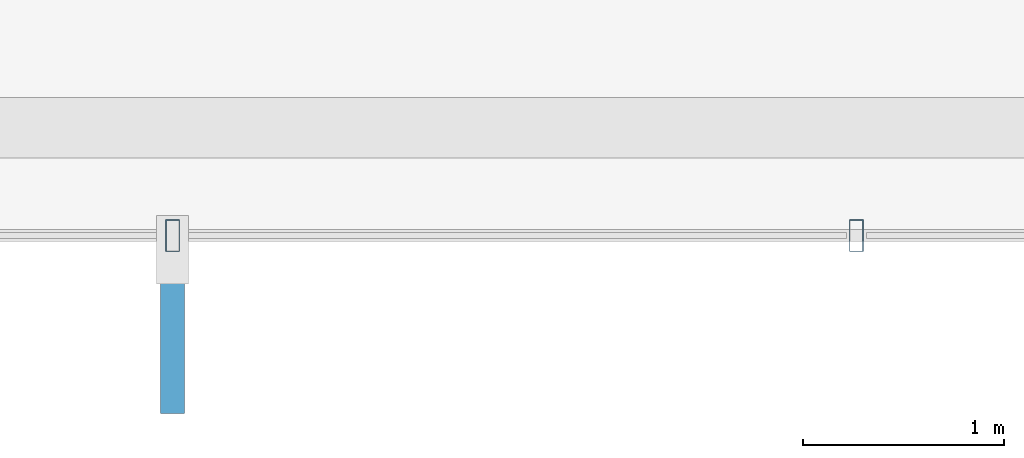
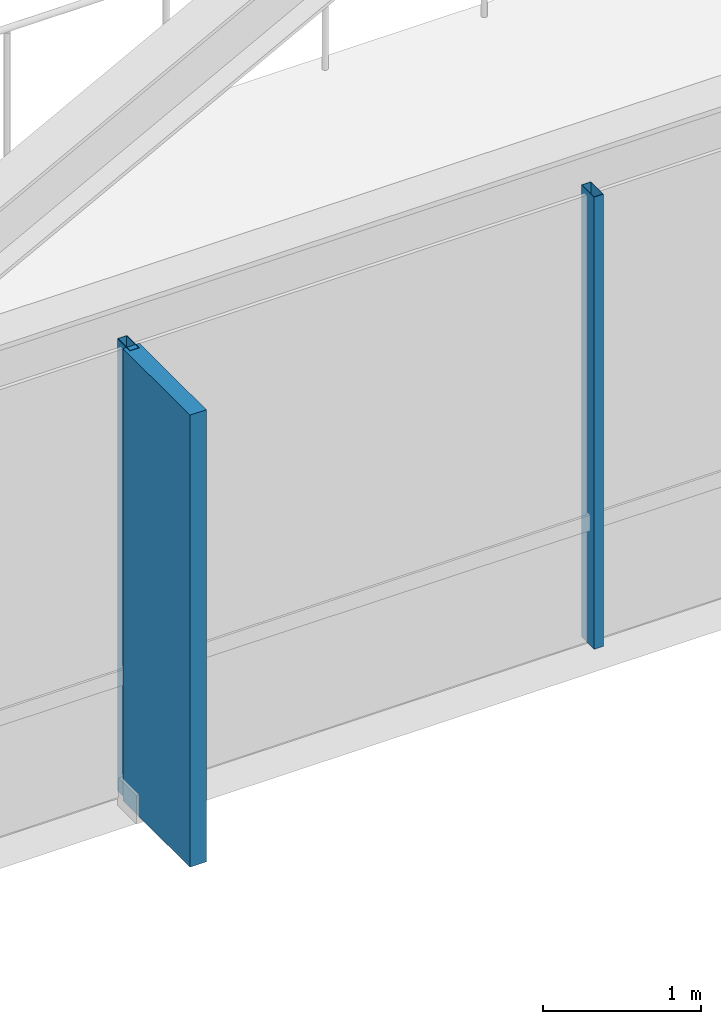
# One storey, part 6 of 29: 3 members, 1 element without a shape of its own.
"""IFC4 building model written with IfcOpenShell, lengths in metres."""

import ifcopenshell
import ifcopenshell.guid

model = None  # the IFC model being written
_history = None  # IfcOwnerHistory: only IFC2X3 demands one
_inside = {}  # id of a spatial element -> (the spatial element, [elements in it])
_under = {}  # id of a project, library or spatial element -> (it, [spatial elements below it])
_declared = {}  # id of a project -> (the project, [libraries it declares])
_typed = {}  # id of a type object -> (the type object, [elements of that type])
_made_of = {}  # id of a material, layer set ... -> (it, [elements and type objects made of it])


def new_model(schema):
    """Start an empty IFC model of exactly this schema.

    Asked for "IFC4X3", IfcOpenShell would pick the latest addendum, in which some entities
    have other attributes; the version numbers below select the first issue.
    IFC2X3 requires an IfcOwnerHistory on every rooted entity: one is made here for all.
    """
    global model, _history
    if schema == "IFC4X3":
        model = ifcopenshell.file(schema_version=(4, 3, 0, 0))
    else:
        model = ifcopenshell.file(schema=schema)
    _inside.clear()
    _under.clear()
    _declared.clear()
    _typed.clear()
    _made_of.clear()
    _history = None
    if model.schema == "IFC2X3":
        org = make("IfcOrganization", Name="unknown")
        user = make(
            "IfcPersonAndOrganization",
            ThePerson=make("IfcPerson", FamilyName="unknown"),
            TheOrganization=org,
        )
        app = make(
            "IfcApplication",
            ApplicationDeveloper=org,
            Version="unknown",
            ApplicationFullName="unknown",
            ApplicationIdentifier="unknown",
        )
        _history = make(
            "IfcOwnerHistory",
            OwningUser=user,
            OwningApplication=app,
            ChangeAction="ADDED",
            CreationDate=0,
        )
    return model


def make(cls, **values):
    """One entity of the class cls with the attributes given. An attribute that is None is left unset."""
    return model.create_entity(
        cls, **{name: value for name, value in values.items() if value is not None}
    )


def rooted(cls, **values):
    """An entity with a GlobalId (a new one), such as an element, a storey or a relation."""
    return make(cls, GlobalId=ifcopenshell.guid.new(), OwnerHistory=_history, **values)


def si_unit(unit_type, name, prefix=None):
    """IfcSIUnit, for example si_unit("LENGTHUNIT", "METRE", prefix="MILLI")."""
    return make("IfcSIUnit", UnitType=unit_type, Prefix=prefix, Name=name)


def assignment(units):
    """IfcUnitAssignment: the units of a project."""
    return None if units is None else make("IfcUnitAssignment", Units=units)


def point(xyz):
    """IfcCartesianPoint."""
    return None if xyz is None else make("IfcCartesianPoint", Coordinates=xyz)


def direction(xyz):
    """IfcDirection."""
    return None if xyz is None else make("IfcDirection", DirectionRatios=xyz)


def frame(location, z_axis=None, x_axis=None):
    """IfcAxis2Placement3D, a coordinate frame: its origin and axes. An axis left out is left unset."""
    return make(
        "IfcAxis2Placement3D",
        Location=point(location),
        Axis=direction(z_axis),
        RefDirection=direction(x_axis),
    )


def frame_2d(location, x_axis=None):
    """IfcAxis2Placement2D, a coordinate frame in the plane: its origin and x axis."""
    return make(
        "IfcAxis2Placement2D", Location=point(location), RefDirection=direction(x_axis)
    )


def origin():
    """The frame at (0, 0, 0) with its axes left unset."""
    return frame((0.0, 0.0, 0.0))


def origin_2d():
    """The frame at (0, 0) in the plane with its x axis left unset."""
    return frame_2d((0.0, 0.0))


def place(relative_to, where):
    """IfcLocalPlacement: puts the frame where relative to a parent placement (None: the world)."""
    return make(
        "IfcLocalPlacement", PlacementRelTo=relative_to, RelativePlacement=where
    )


def context(
    kind, dimensions, precision=None, world=None, true_north=None, identifier=None
):
    """IfcGeometricRepresentationContext, for example the 3D "Model" context."""
    return make(
        "IfcGeometricRepresentationContext",
        ContextIdentifier=identifier,
        ContextType=kind,
        CoordinateSpaceDimension=dimensions,
        Precision=precision,
        WorldCoordinateSystem=world,
        TrueNorth=true_north,
    )


def subcontext(parent, identifier, kind, view, scale=None):
    """IfcGeometricRepresentationSubContext, for example "Body" below "Model"."""
    return make(
        "IfcGeometricRepresentationSubContext",
        ContextIdentifier=identifier,
        ContextType=kind,
        ParentContext=parent,
        TargetScale=scale,
        TargetView=view,
    )


def project(units=None, contexts=None):
    """IfcProject with its units and contexts."""
    return rooted(
        "IfcProject",
        Name="project",
        RepresentationContexts=contexts,
        UnitsInContext=assignment(units),
    )


def spatial(cls, under=None, at=None, **own):
    """A site, building, storey or space (cls), placed at a placement, below another one or the project."""
    s = rooted(cls, ObjectPlacement=at, **own)
    if under is not None:
        _under.setdefault(under.id(), (under, []))[1].append(s)
    return s


def profile(cls, at=None, kind="AREA", **sizes):
    """A parametric profile (cls). Its sizes go by their IFC names, for example OverallWidth=200.0."""
    return make(cls, ProfileType=kind, Position=at, **sizes)


def rectangle(**sizes):
    """IfcRectangleProfileDef."""
    return profile("IfcRectangleProfileDef", **sizes)


def hollow_rectangle(**sizes):
    """IfcRectangleHollowProfileDef."""
    return profile("IfcRectangleHollowProfileDef", **sizes)


def extrude(swept, where, along, depth):
    """IfcExtrudedAreaSolid: the profile swept, set in the frame where, extruded along a direction by depth."""
    return make(
        "IfcExtrudedAreaSolid",
        SweptArea=swept,
        Position=where,
        ExtrudedDirection=direction(along),
        Depth=depth,
    )


def shape(context_of_items, identifier, shape_type, items):
    """IfcShapeRepresentation: the items that make up one representation, for example the "Body"."""
    return make(
        "IfcShapeRepresentation",
        ContextOfItems=context_of_items,
        RepresentationIdentifier=identifier,
        RepresentationType=shape_type,
        Items=items,
    )


def material(Name=None, Category=None):
    """IfcMaterial."""
    return make("IfcMaterial", Name=Name, Category=Category)


def layer(
    of_material, thickness, ventilated=None, Name=None, Category=None, Priority=None
):
    """IfcMaterialLayer: one layer of a wall or slab, of a material (None: an air gap)."""
    return make(
        "IfcMaterialLayer",
        Material=of_material,
        LayerThickness=thickness,
        IsVentilated=ventilated,
        Name=Name,
        Category=Category,
        Priority=Priority,
    )


def layer_set(layers, Name=None):
    """IfcMaterialLayerSet."""
    return make("IfcMaterialLayerSet", MaterialLayers=layers, LayerSetName=Name)


def material_profile(
    of_material, cross_section, Name=None, Category=None, Priority=None
):
    """IfcMaterialProfile: a cross section and its material."""
    return make(
        "IfcMaterialProfile",
        Name=Name,
        Material=of_material,
        Profile=cross_section,
        Priority=Priority,
        Category=Category,
    )


def profile_set(profiles, Name=None, composite=None):
    """IfcMaterialProfileSet."""
    return make(
        "IfcMaterialProfileSet",
        Name=Name,
        MaterialProfiles=profiles,
        CompositeProfile=composite,
    )


def made_of(thing, what):
    """Note that an element or type object is made of a material, layer set ...; save() writes the relation."""
    if what is not None:
        _made_of.setdefault(what.id(), (what, []))[1].append(thing)
    return thing


def type_object(cls, material=None, **own):
    """A type object (cls), such as IfcWallType, which elements share."""
    return made_of(rooted(cls, **own), material)


def element(
    cls,
    number,
    at=None,
    inside=None,
    cuts=None,
    type_object=None,
    material=None,
    context=None,
    identifier="Body",
    shape_type=None,
    held_by="IfcProductDefinitionShape",
    body=None,
    shapes=None,
    **own,
):
    """One element of the class cls, such as IfcWall. Its Tag is "e" and its number.

    at: its placement. inside: the storey or other place that contains it. cuts: it is an
    opening in that element (IfcRelVoidsElement). A single representation is given by context,
    identifier, shape_type and body (its items); several are given by shapes. held_by: the class
    of the entity that holds the representations. save() writes the other relations.
    """
    e = rooted(cls, Tag="e%d" % number, ObjectPlacement=at, **own)
    if body is not None:
        shapes = [shape(context, identifier, shape_type, body)]
    if shapes is not None:
        e.Representation = make(held_by, Representations=shapes)
    if inside is not None:
        _inside.setdefault(inside.id(), (inside, []))[1].append(e)
    if cuts is not None:
        rooted(
            "IfcRelVoidsElement", RelatingBuildingElement=cuts, RelatedOpeningElement=e
        )
    if type_object is not None:
        _typed.setdefault(type_object.id(), (type_object, []))[1].append(e)
    return made_of(e, material)


def aggregate(whole, parts):
    """IfcRelAggregates: a whole, such as a stair, and the parts it consists of."""
    return rooted("IfcRelAggregates", RelatingObject=whole, RelatedObjects=parts)


def save(model, path):
    """Write the relations noted so far, then the file.

    IfcRelAggregates (storeys below a building ...), IfcRelContainedInSpatialStructure (elements
    in a storey), IfcRelDefinesByType, IfcRelAssociatesMaterial and IfcRelDeclares: one each for
    every whole, place, type object, material and project.
    """
    for whole, parts in _under.values():
        aggregate(whole, parts)
    for where, things in _inside.values():
        rooted(
            "IfcRelContainedInSpatialStructure",
            RelatedElements=things,
            RelatingStructure=where,
        )
    for kind, things in _typed.values():
        rooted("IfcRelDefinesByType", RelatedObjects=things, RelatingType=kind)
    for what, things in _made_of.values():
        rooted("IfcRelAssociatesMaterial", RelatedObjects=things, RelatingMaterial=what)
    for by, libraries in _declared.values():
        rooted("IfcRelDeclares", RelatingContext=by, RelatedDefinitions=libraries)
    model.write(path)


model = new_model("IFC4")

# Units and contexts
model_context = context("Model", 3, precision=1e-05, world=origin(), true_north=direction((0.0, 1.0)))
body_context = subcontext(model_context, "Body", "Model", "MODEL_VIEW")
ifc_project = project(units=[si_unit("LENGTHUNIT", "METRE"), si_unit("AREAUNIT", "SQUARE_METRE"), si_unit("VOLUMEUNIT", "CUBIC_METRE"), si_unit("PLANEANGLEUNIT", "RADIAN"), si_unit("MASSUNIT", "GRAM", prefix="KILO")], contexts=[model_context])

# Site, building, storey
site_placement = place(None, origin())
site = spatial("IfcSite", under=ifc_project, at=site_placement, CompositionType="ELEMENT")
building_placement = place(site_placement, origin())
building = spatial("IfcBuilding", under=site, at=building_placement, Name="Zarrinselat Tower", CompositionType="ELEMENT")
storey_placement = place(building_placement, frame((0.0, 0.0, 142.1201171875)))
storey = spatial("IfcBuildingStorey", under=building, at=storey_placement, Name="L34", CompositionType="ELEMENT", Elevation=142.1201171875)

# Curtain wall, members
ifc_material_1 = material(Name="Extruded Aluminium Alloy EN AW-6063 T6", Category="aluminium")
ifc_layer = layer(ifc_material_1, 0.175048828125)
ifc_layer_set = layer_set([ifc_layer], Name="Extruded Aluminium Alloy EN AW-6063 T6")
curtain_wall_type = type_object("IfcCurtainWallType", Name="CWS-HTL", PredefinedType="NOTDEFINED", material=ifc_layer_set)
curtain_wall_placement = place(storey_placement, origin())
curtain_wall = element("IfcCurtainWall", 1, at=curtain_wall_placement, inside=storey, type_object=curtain_wall_type, Name="L34 Unitised Curtain Wall CW-L34-E04", PredefinedType="NOTDEFINED")
ifc_material_2 = material(Name="Extruded Aluminium Alloy EN AW-6063 T6", Category="aluminium")
ifc_material_profile_1 = material_profile(ifc_material_2, hollow_rectangle(XDim=0.070068359375, YDim=0.159912109375, WallThickness=0.00390625, at=origin_2d()), Name="RHS 160x70x4")
ifc_profile_set_1 = profile_set([ifc_material_profile_1], Name="Extruded Aluminium Alloy EN AW-6063 T6")
member_type_1 = type_object("IfcMemberType", Name="MEM-CW-MUL2", PredefinedType="MULLION", material=ifc_profile_set_1)
member_1_placement = place(storey_placement, frame((33.302001953125, 17.94580078125, 0.0), z_axis=(0.0, 0.0, 1.0), x_axis=(1.0, 0.0, 0.0)))
member_1 = element("IfcMember", 2, at=member_1_placement, type_object=member_type_1, Name="CW-L34-E04 Mullion 1", PredefinedType="MULLION", context=body_context, shape_type="SweptSolid", body=[
    extrude(hollow_rectangle(XDim=0.070068359375, YDim=0.159912109375, WallThickness=0.00390625, at=origin_2d()), origin(), (0.0, 0.0, 1.0), 3.5),
])
member_2_placement = place(storey_placement, frame((36.70068359375, 17.94580078125, 0.0), z_axis=(0.0, 0.0, 1.0), x_axis=(1.0, 0.0, 0.0)))
member_2 = element("IfcMember", 3, at=member_2_placement, type_object=member_type_1, Name="CW-L34-E04 Mullion 2", PredefinedType="MULLION", context=body_context, shape_type="SweptSolid", body=[
    extrude(hollow_rectangle(XDim=0.070068359375, YDim=0.159912109375, WallThickness=0.00390625, at=origin_2d()), origin(), (0.0, 0.0, 1.0), 3.5),
])
ifc_material_3 = material(Name="Honed Cream Travertine Stone", Category="masonry")
ifc_material_profile_2 = material_profile(ifc_material_3, rectangle(XDim=0.1201171875, YDim=0.85009765625, at=origin_2d()), Name="FIN 850x120")
ifc_profile_set_2 = profile_set([ifc_material_profile_2], Name="Honed Cream Travertine Stone")
member_type_2 = type_object("IfcMemberType", Name="MEM-STONE-FIN", PredefinedType="USERDEFINED", material=ifc_profile_set_2)
member_3_placement = place(storey_placement, frame((33.302001953125, 17.48583984375, 0.0), z_axis=(0.0, 0.0, 1.0), x_axis=(-1.0, 0.0, 0.0)))
member_3 = element("IfcMember", 4, at=member_3_placement, type_object=member_type_2, Name="L34 Stone Shading Fin CW-L34-E04-01", ObjectType="FIN", PredefinedType="USERDEFINED", context=body_context, shape_type="SweptSolid", body=[
    extrude(rectangle(XDim=0.1201171875, YDim=0.85009765625, at=origin_2d()), origin(), (0.0, 0.0, 1.0), 3.5),
])
aggregate(curtain_wall, [member_1, member_3, member_2])

save(model, "model.ifc")
